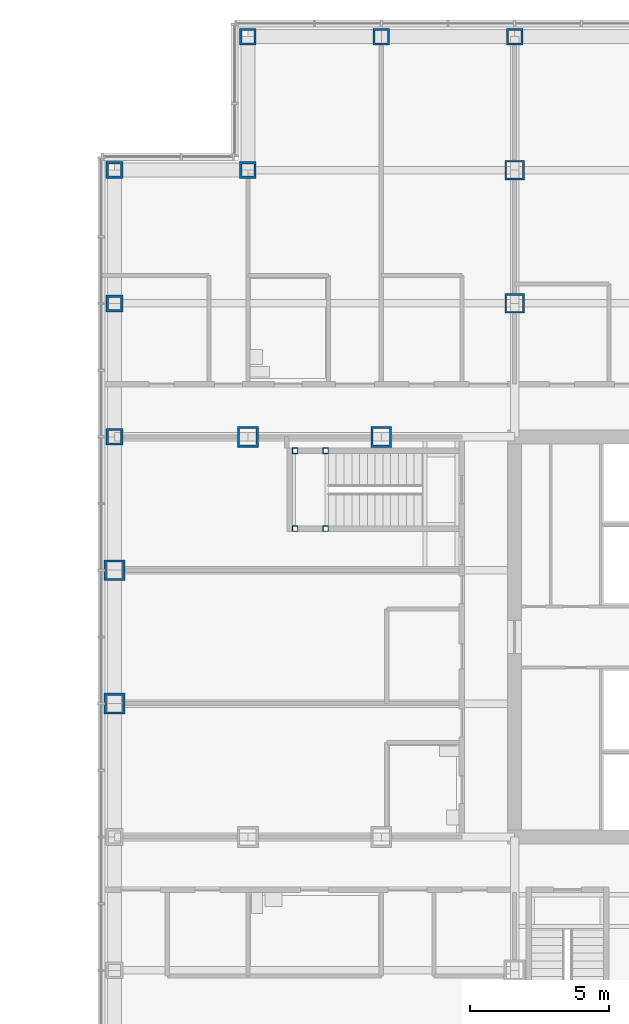
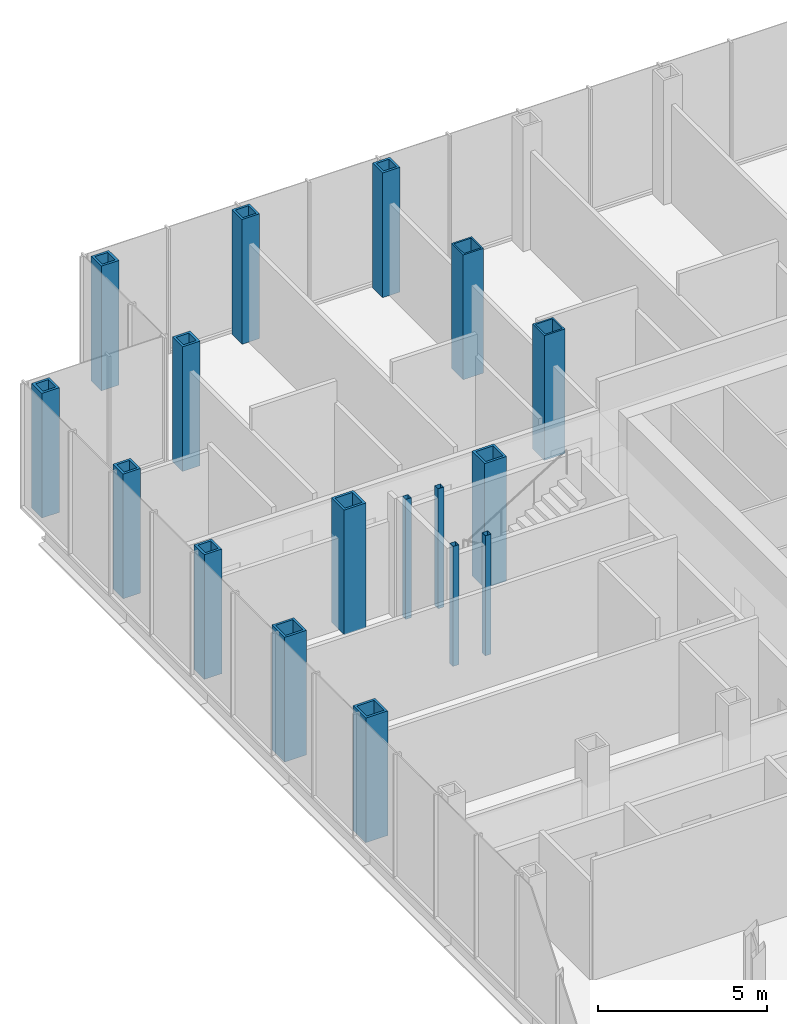
# One storey, part 7 of 25: 17 columns.
"""IFC4 building model written with IfcOpenShell, lengths in metres."""

from ifc_helpers import new_model, si_unit, direction, frame, origin, origin_2d, place, context, subcontext, project, spatial, hollow_rectangle, extrude, material, material_profile, profile_set, type_object, element, save


model = new_model("IFC4")

# Units and contexts
model_context = context("Model", 3, precision=1e-05, world=origin(), true_north=direction((0.0, 1.0)))
body_context = subcontext(model_context, "Body", "Model", "MODEL_VIEW")
ifc_project = project(units=[si_unit("LENGTHUNIT", "METRE"), si_unit("AREAUNIT", "SQUARE_METRE"), si_unit("VOLUMEUNIT", "CUBIC_METRE"), si_unit("PLANEANGLEUNIT", "RADIAN"), si_unit("MASSUNIT", "GRAM", prefix="KILO")], contexts=[model_context])

# Site, building, storey
site_placement = place(None, origin())
site = spatial("IfcSite", under=ifc_project, at=site_placement, CompositionType="ELEMENT")
building_placement = place(site_placement, origin())
building = spatial("IfcBuilding", under=site, at=building_placement, Name="Kvirike Care Tower", CompositionType="ELEMENT")
storey_placement = place(building_placement, frame((0.0, 0.0, 9.0)))
storey = spatial("IfcBuildingStorey", under=building, at=storey_placement, Name="L02", CompositionType="ELEMENT", Elevation=9.0)

# Columns
ifc_material_1 = material(Name="Steel S460", Category="steel")
ifc_material_profile_1 = material_profile(ifc_material_1, hollow_rectangle(XDim=0.60009765625, YDim=0.60009765625, WallThickness=0.080078125, at=origin_2d()), Name="BX 600x600x80")
ifc_profile_set_1 = profile_set([ifc_material_profile_1], Name="Steel S460")
column_type_1 = type_object("IfcColumnType", Name="COLUMN BX 600x600x80", PredefinedType="COLUMN", material=ifc_profile_set_1)
for number, where, z_axis, x_axis, name in (
    (1, (0.0, 43.199951171875, 0.0), (0.0, 0.0, 1.0), (0.0, 1.0, 0.0), "Column K3 L02"),
    (2, (0.0, 48.0, 0.0), (0.0, 0.0, 1.0), (1.0, 0.0, 0.0), "Column L3 L02"),
    (3, (0.0, 52.800048828125, 0.0), (0.0, 0.0, 1.0), (0.0, 1.0, 0.0), "Column M3 L02"),
    (4, (4.800048828125, 52.800048828125, 0.0), (0.0, 0.0, 1.0), (0.0, 1.0, 0.0), "Column M4 L02"),
    (5, (4.800048828125, 57.60009765625, 0.0), (0.0, 0.0, 1.0), (0.0, 1.0, 0.0), "Column N4 L02"),
    (6, (9.60009765625, 57.60009765625, 0.0), (0.0, 0.0, 1.0), (0.0, 1.0, 0.0), "Column N5 L02"),
    (7, (14.39990234375, 57.60009765625, 0.0), (0.0, 0.0, 1.0), (0.0, 1.0, 0.0), "Column N6 L02"),
):
    element("IfcColumn", number, at=place(storey_placement, frame(where, z_axis=z_axis, x_axis=x_axis)), inside=storey, type_object=column_type_1, Name=name, PredefinedType="COLUMN", context=body_context, shape_type="SweptSolid", body=[
        extrude(hollow_rectangle(XDim=0.60009765625, YDim=0.60009765625, WallThickness=0.080078125, at=origin_2d()), origin(), (0.0, 0.0, 1.0), 4.5),
    ])
ifc_material_2 = material(Name="Steel S460", Category="steel")
ifc_material_profile_2 = material_profile(ifc_material_2, hollow_rectangle(XDim=0.699951171875, YDim=0.699951171875, WallThickness=0.06005859375, at=origin_2d()), Name="BX 700x700x60")
ifc_profile_set_2 = profile_set([ifc_material_profile_2], Name="Steel S460")
column_type_2 = type_object("IfcColumnType", Name="COLUMN BX 700x700x60", PredefinedType="COLUMN", material=ifc_profile_set_2)
for number, where, z_axis, x_axis, name in (
    (8, (14.39990234375, 48.0, 0.0), (0.0, 0.0, 1.0), (1.0, 0.0, 0.0), "Column L6 L02"),
    (9, (14.39990234375, 52.800048828125, 0.0), (0.0, 0.0, 1.0), (1.0, 0.0, 0.0), "Column M6 L02"),
):
    element("IfcColumn", number, at=place(storey_placement, frame(where, z_axis=z_axis, x_axis=x_axis)), inside=storey, type_object=column_type_2, Name=name, PredefinedType="COLUMN", context=body_context, shape_type="SweptSolid", body=[
        extrude(hollow_rectangle(XDim=0.699951171875, YDim=0.699951171875, WallThickness=0.06005859375, at=origin_2d()), origin(), (0.0, 0.0, 1.0), 4.5),
    ])
ifc_material_3 = material(Name="Steel S460", Category="steel")
ifc_material_profile_3 = material_profile(ifc_material_3, hollow_rectangle(XDim=0.75, YDim=0.75, WallThickness=0.080078125, at=origin_2d()), Name="BX 750x750x80")
ifc_profile_set_3 = profile_set([ifc_material_profile_3], Name="Steel S460")
column_type_3 = type_object("IfcColumnType", Name="COLUMN BX 750x750x80", PredefinedType="COLUMN", material=ifc_profile_set_3)
for number, where, z_axis, x_axis, name in (
    (10, (0.0, 33.60009765625, 0.0), (0.0, 0.0, 1.0), (1.0, 0.0, 0.0), "Column H3 L02"),
    (11, (0.0, 38.39990234375, 0.0), (0.0, 0.0, 1.0), (1.0, 0.0, 0.0), "Column J3 L02"),
    (12, (4.800048828125, 43.199951171875, 0.0), (0.0, 0.0, 1.0), (0.0, 1.0, 0.0), "Column K4 L02"),
    (13, (9.60009765625, 43.199951171875, 0.0), (0.0, 0.0, 1.0), (0.0, 1.0, 0.0), "Column K5 L02"),
):
    element("IfcColumn", number, at=place(storey_placement, frame(where, z_axis=z_axis, x_axis=x_axis)), inside=storey, type_object=column_type_3, Name=name, PredefinedType="COLUMN", context=body_context, shape_type="SweptSolid", body=[
        extrude(hollow_rectangle(XDim=0.75, YDim=0.75, WallThickness=0.080078125, at=origin_2d()), origin(), (0.0, 0.0, 1.0), 4.5),
    ])
ifc_material_4 = material(Name="Steel S460", Category="steel")
ifc_material_profile_4 = material_profile(ifc_material_4, hollow_rectangle(XDim=0.199951171875, YDim=0.199951171875, WallThickness=0.008056640625, at=origin_2d()), Name="SHS 200x200x8")
ifc_profile_set_4 = profile_set([ifc_material_profile_4], Name="Steel S460")
column_type_4 = type_object("IfcColumnType", Name="STAIR POST SHS 200x200x8", PredefinedType="COLUMN", material=ifc_profile_set_4)
for number, where, z_axis, x_axis, name in (
    (14, (6.5, 42.699951171875, 0.0), (0.0, 0.0, 1.0), (1.0, 0.0, 0.0), "Stair 1 post 1 L02"),
    (15, (6.5, 39.89990234375, 0.0), (0.0, 0.0, 1.0), (1.0, 0.0, 0.0), "Stair 1 post 2 L02"),
    (16, (7.60009765625, 42.699951171875, 0.0), (0.0, 0.0, 1.0), (1.0, 0.0, 0.0), "Stair 1 post 3 L02"),
    (17, (7.60009765625, 39.89990234375, 0.0), (0.0, 0.0, 1.0), (1.0, 0.0, 0.0), "Stair 1 post 4 L02"),
):
    element("IfcColumn", number, at=place(storey_placement, frame(where, z_axis=z_axis, x_axis=x_axis)), inside=storey, type_object=column_type_4, Name=name, PredefinedType="COLUMN", context=body_context, shape_type="SweptSolid", body=[
        extrude(hollow_rectangle(XDim=0.199951171875, YDim=0.199951171875, WallThickness=0.008056640625, at=origin_2d()), origin(), (0.0, 0.0, 1.0), 4.330078125),
    ])

save(model, "model.ifc")
